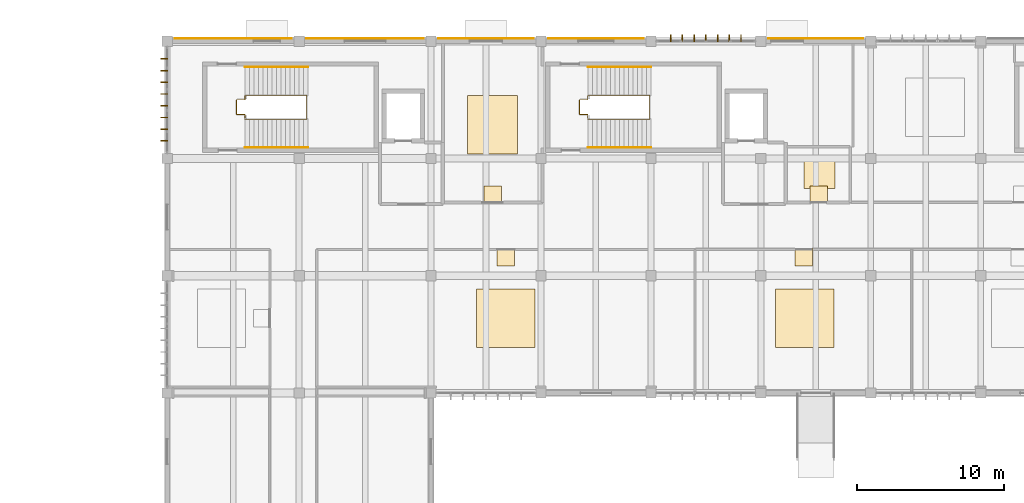
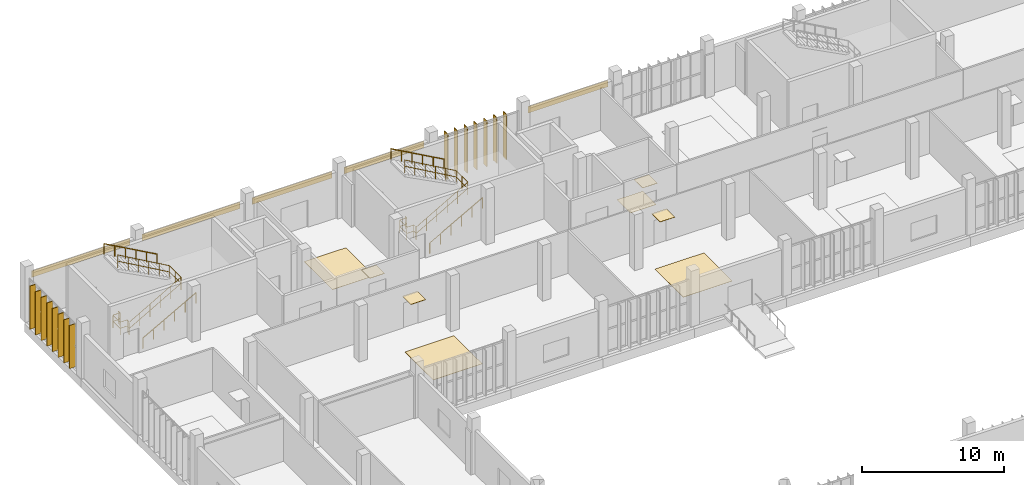
# One storey, part 64 of 72: 15 shading devices, 13 coverings, 8 railings.
"""IFC4 building model written with IfcOpenShell, lengths in metres."""

import ifcopenshell
import ifcopenshell.guid

model = None  # the IFC model being written
_history = None  # IfcOwnerHistory: only IFC2X3 demands one
_inside = {}  # id of a spatial element -> (the spatial element, [elements in it])
_under = {}  # id of a project, library or spatial element -> (it, [spatial elements below it])
_declared = {}  # id of a project -> (the project, [libraries it declares])
_typed = {}  # id of a type object -> (the type object, [elements of that type])
_made_of = {}  # id of a material, layer set ... -> (it, [elements and type objects made of it])


def new_model(schema):
    """Start an empty IFC model of exactly this schema.

    Asked for "IFC4X3", IfcOpenShell would pick the latest addendum, in which some entities
    have other attributes; the version numbers below select the first issue.
    IFC2X3 requires an IfcOwnerHistory on every rooted entity: one is made here for all.
    """
    global model, _history
    if schema == "IFC4X3":
        model = ifcopenshell.file(schema_version=(4, 3, 0, 0))
    else:
        model = ifcopenshell.file(schema=schema)
    _inside.clear()
    _under.clear()
    _declared.clear()
    _typed.clear()
    _made_of.clear()
    _history = None
    if model.schema == "IFC2X3":
        org = make("IfcOrganization", Name="unknown")
        user = make(
            "IfcPersonAndOrganization",
            ThePerson=make("IfcPerson", FamilyName="unknown"),
            TheOrganization=org,
        )
        app = make(
            "IfcApplication",
            ApplicationDeveloper=org,
            Version="unknown",
            ApplicationFullName="unknown",
            ApplicationIdentifier="unknown",
        )
        _history = make(
            "IfcOwnerHistory",
            OwningUser=user,
            OwningApplication=app,
            ChangeAction="ADDED",
            CreationDate=0,
        )
    return model


def make(cls, **values):
    """One entity of the class cls with the attributes given. An attribute that is None is left unset."""
    return model.create_entity(
        cls, **{name: value for name, value in values.items() if value is not None}
    )


def rooted(cls, **values):
    """An entity with a GlobalId (a new one), such as an element, a storey or a relation."""
    return make(cls, GlobalId=ifcopenshell.guid.new(), OwnerHistory=_history, **values)


def si_unit(unit_type, name, prefix=None):
    """IfcSIUnit, for example si_unit("LENGTHUNIT", "METRE", prefix="MILLI")."""
    return make("IfcSIUnit", UnitType=unit_type, Prefix=prefix, Name=name)


def assignment(units):
    """IfcUnitAssignment: the units of a project."""
    return None if units is None else make("IfcUnitAssignment", Units=units)


def point(xyz):
    """IfcCartesianPoint."""
    return None if xyz is None else make("IfcCartesianPoint", Coordinates=xyz)


def direction(xyz):
    """IfcDirection."""
    return None if xyz is None else make("IfcDirection", DirectionRatios=xyz)


def frame(location, z_axis=None, x_axis=None):
    """IfcAxis2Placement3D, a coordinate frame: its origin and axes. An axis left out is left unset."""
    return make(
        "IfcAxis2Placement3D",
        Location=point(location),
        Axis=direction(z_axis),
        RefDirection=direction(x_axis),
    )


def frame_2d(location, x_axis=None):
    """IfcAxis2Placement2D, a coordinate frame in the plane: its origin and x axis."""
    return make(
        "IfcAxis2Placement2D", Location=point(location), RefDirection=direction(x_axis)
    )


def origin():
    """The frame at (0, 0, 0) with its axes left unset."""
    return frame((0.0, 0.0, 0.0))


def origin_2d():
    """The frame at (0, 0) in the plane with its x axis left unset."""
    return frame_2d((0.0, 0.0))


def place(relative_to, where):
    """IfcLocalPlacement: puts the frame where relative to a parent placement (None: the world)."""
    return make(
        "IfcLocalPlacement", PlacementRelTo=relative_to, RelativePlacement=where
    )


def context(
    kind, dimensions, precision=None, world=None, true_north=None, identifier=None
):
    """IfcGeometricRepresentationContext, for example the 3D "Model" context."""
    return make(
        "IfcGeometricRepresentationContext",
        ContextIdentifier=identifier,
        ContextType=kind,
        CoordinateSpaceDimension=dimensions,
        Precision=precision,
        WorldCoordinateSystem=world,
        TrueNorth=true_north,
    )


def subcontext(parent, identifier, kind, view, scale=None):
    """IfcGeometricRepresentationSubContext, for example "Body" below "Model"."""
    return make(
        "IfcGeometricRepresentationSubContext",
        ContextIdentifier=identifier,
        ContextType=kind,
        ParentContext=parent,
        TargetScale=scale,
        TargetView=view,
    )


def project(units=None, contexts=None):
    """IfcProject with its units and contexts."""
    return rooted(
        "IfcProject",
        Name="project",
        RepresentationContexts=contexts,
        UnitsInContext=assignment(units),
    )


def spatial(cls, under=None, at=None, **own):
    """A site, building, storey or space (cls), placed at a placement, below another one or the project."""
    s = rooted(cls, ObjectPlacement=at, **own)
    if under is not None:
        _under.setdefault(under.id(), (under, []))[1].append(s)
    return s


def profile(cls, at=None, kind="AREA", **sizes):
    """A parametric profile (cls). Its sizes go by their IFC names, for example OverallWidth=200.0."""
    return make(cls, ProfileType=kind, Position=at, **sizes)


def rectangle(**sizes):
    """IfcRectangleProfileDef."""
    return profile("IfcRectangleProfileDef", **sizes)


def circle(**sizes):
    """IfcCircleProfileDef."""
    return profile("IfcCircleProfileDef", **sizes)


def extrude(swept, where, along, depth):
    """IfcExtrudedAreaSolid: the profile swept, set in the frame where, extruded along a direction by depth."""
    return make(
        "IfcExtrudedAreaSolid",
        SweptArea=swept,
        Position=where,
        ExtrudedDirection=direction(along),
        Depth=depth,
    )


def shape(context_of_items, identifier, shape_type, items):
    """IfcShapeRepresentation: the items that make up one representation, for example the "Body"."""
    return make(
        "IfcShapeRepresentation",
        ContextOfItems=context_of_items,
        RepresentationIdentifier=identifier,
        RepresentationType=shape_type,
        Items=items,
    )


def material(Name=None, Category=None):
    """IfcMaterial."""
    return make("IfcMaterial", Name=Name, Category=Category)


def layer(
    of_material, thickness, ventilated=None, Name=None, Category=None, Priority=None
):
    """IfcMaterialLayer: one layer of a wall or slab, of a material (None: an air gap)."""
    return make(
        "IfcMaterialLayer",
        Material=of_material,
        LayerThickness=thickness,
        IsVentilated=ventilated,
        Name=Name,
        Category=Category,
        Priority=Priority,
    )


def layer_set(layers, Name=None):
    """IfcMaterialLayerSet."""
    return make("IfcMaterialLayerSet", MaterialLayers=layers, LayerSetName=Name)


def material_profile(
    of_material, cross_section, Name=None, Category=None, Priority=None
):
    """IfcMaterialProfile: a cross section and its material."""
    return make(
        "IfcMaterialProfile",
        Name=Name,
        Material=of_material,
        Profile=cross_section,
        Priority=Priority,
        Category=Category,
    )


def profile_set(profiles, Name=None, composite=None):
    """IfcMaterialProfileSet."""
    return make(
        "IfcMaterialProfileSet",
        Name=Name,
        MaterialProfiles=profiles,
        CompositeProfile=composite,
    )


def made_of(thing, what):
    """Note that an element or type object is made of a material, layer set ...; save() writes the relation."""
    if what is not None:
        _made_of.setdefault(what.id(), (what, []))[1].append(thing)
    return thing


def type_object(cls, material=None, **own):
    """A type object (cls), such as IfcWallType, which elements share."""
    return made_of(rooted(cls, **own), material)


def element(
    cls,
    number,
    at=None,
    inside=None,
    cuts=None,
    type_object=None,
    material=None,
    context=None,
    identifier="Body",
    shape_type=None,
    held_by="IfcProductDefinitionShape",
    body=None,
    shapes=None,
    **own,
):
    """One element of the class cls, such as IfcWall. Its Tag is "e" and its number.

    at: its placement. inside: the storey or other place that contains it. cuts: it is an
    opening in that element (IfcRelVoidsElement). A single representation is given by context,
    identifier, shape_type and body (its items); several are given by shapes. held_by: the class
    of the entity that holds the representations. save() writes the other relations.
    """
    e = rooted(cls, Tag="e%d" % number, ObjectPlacement=at, **own)
    if body is not None:
        shapes = [shape(context, identifier, shape_type, body)]
    if shapes is not None:
        e.Representation = make(held_by, Representations=shapes)
    if inside is not None:
        _inside.setdefault(inside.id(), (inside, []))[1].append(e)
    if cuts is not None:
        rooted(
            "IfcRelVoidsElement", RelatingBuildingElement=cuts, RelatedOpeningElement=e
        )
    if type_object is not None:
        _typed.setdefault(type_object.id(), (type_object, []))[1].append(e)
    return made_of(e, material)


def aggregate(whole, parts):
    """IfcRelAggregates: a whole, such as a stair, and the parts it consists of."""
    return rooted("IfcRelAggregates", RelatingObject=whole, RelatedObjects=parts)


def save(model, path):
    """Write the relations noted so far, then the file.

    IfcRelAggregates (storeys below a building ...), IfcRelContainedInSpatialStructure (elements
    in a storey), IfcRelDefinesByType, IfcRelAssociatesMaterial and IfcRelDeclares: one each for
    every whole, place, type object, material and project.
    """
    for whole, parts in _under.values():
        aggregate(whole, parts)
    for where, things in _inside.values():
        rooted(
            "IfcRelContainedInSpatialStructure",
            RelatedElements=things,
            RelatingStructure=where,
        )
    for kind, things in _typed.values():
        rooted("IfcRelDefinesByType", RelatedObjects=things, RelatingType=kind)
    for what, things in _made_of.values():
        rooted("IfcRelAssociatesMaterial", RelatedObjects=things, RelatingMaterial=what)
    for by, libraries in _declared.values():
        rooted("IfcRelDeclares", RelatingContext=by, RelatedDefinitions=libraries)
    model.write(path)


model = new_model("IFC4")

# Units and contexts
model_context = context("Model", 3, precision=1e-05, world=origin(), true_north=direction((0.0, 1.0)))
body_context = subcontext(model_context, "Body", "Model", "MODEL_VIEW")
ifc_project = project(units=[si_unit("LENGTHUNIT", "METRE"), si_unit("AREAUNIT", "SQUARE_METRE"), si_unit("VOLUMEUNIT", "CUBIC_METRE"), si_unit("PLANEANGLEUNIT", "RADIAN"), si_unit("MASSUNIT", "GRAM", prefix="KILO")], contexts=[model_context])

# Site, building, storey
site_placement = place(None, origin())
site = spatial("IfcSite", under=ifc_project, at=site_placement, CompositionType="ELEMENT")
building_placement = place(site_placement, origin())
building = spatial("IfcBuilding", under=site, at=building_placement, Name="Vourika Railside Aquatics Centre", CompositionType="ELEMENT")
storey_placement = place(building_placement, origin())
storey = spatial("IfcBuildingStorey", under=building, at=storey_placement, Name="L00", CompositionType="ELEMENT", Elevation=0.0)

# Coverings
ifc_material_1 = material(Name="Perforated moisture-resistant acoustic gypsum ceiling")
ifc_layer_1 = layer(ifc_material_1, 0.02490234375, Name="COV-CEIL-25")
ifc_layer_set_1 = layer_set([ifc_layer_1], Name="Perforated moisture-resistant acoustic gypsum ceiling")
covering_type_1 = type_object("IfcCoveringType", Name="COV-CEIL-25", PredefinedType="CEILING", material=ifc_layer_set_1)
for number, where, z_axis, x_axis, name in (
    (1, (62.445068359375, 105.52001953125, 2.637451171875), (0.0, 0.0, 1.0), (1.0, 0.0, 0.0), "Clinic Accessible WC Acoustic Ceiling Panel"),
    (2, (40.199951171875, 105.52001953125, 2.637451171875), (0.0, 0.0, 1.0), (1.0, 0.0, 0.0), "Fire Command Centre Acoustic Ceiling Panel"),
    (3, (41.10009765625, 101.280029296875, 2.637451171875), (0.0, 0.0, 1.0), (1.0, 0.0, 0.0), "Hydrotherapy Rehabilitation Pool Clinic Acoustic Ceiling Panel"),
    (4, (61.425048828125, 101.280029296875, 2.637451171875), (0.0, 0.0, 1.0), (1.0, 0.0, 0.0), "Orthopaedic Physician Consulting Rooms Acoustic Ceiling Panel"),
):
    element("IfcCovering", number, at=place(storey_placement, frame(where, z_axis=z_axis, x_axis=x_axis)), inside=storey, type_object=covering_type_1, Name=name, PredefinedType="CEILING", context=body_context, shape_type="SweptSolid", body=[
        extrude(rectangle(XDim=1.199951171875, YDim=1.199951171875, at=origin_2d()), origin(), (0.0, 0.0, 1.0), 0.02490234375),
    ])
ifc_material_2 = material(Name="Bronze-anodized aluminium rainscreen", Category="aluminium")
ifc_layer_2 = layer(ifc_material_2, 0.044921875, Name="COV-CLAD-45")
ifc_layer_set_2 = layer_set([ifc_layer_2], Name="Bronze-anodized aluminium rainscreen")
covering_type_2 = type_object("IfcCoveringType", Name="COV-CLAD-45", PredefinedType="CLADDING", material=ifc_layer_set_2)
for number, where, z_axis, x_axis, name in (
    (5, (22.5, 116.179931640625, 3.30517578125), (0.0, 0.0, 1.0), (-1.0, 0.0, 0.0), "Perforated Bronze Rainscreen Band CL-040"),
    (6, (31.5, 116.179931640625, 3.30517578125), (0.0, 0.0, 1.0), (-1.0, 0.0, 0.0), "Perforated Bronze Rainscreen Band CL-041"),
):
    element("IfcCovering", number, at=place(storey_placement, frame(where, z_axis=z_axis, x_axis=x_axis)), inside=storey, type_object=covering_type_2, Name=name, PredefinedType="CLADDING", context=body_context, shape_type="SweptSolid", body=[
        extrude(rectangle(XDim=8.0, YDim=0.044921875, at=origin_2d()), origin(), (0.0, 0.0, 1.0), 0.550048828125),
    ])
for number, where, z_axis, x_axis, name in (
    (7, (39.75, 116.179931640625, 3.30517578125), (0.0, 0.0, 1.0), (-1.0, 0.0, 0.0), "Perforated Bronze Rainscreen Band CL-042"),
    (8, (47.25, 116.179931640625, 3.30517578125), (0.0, 0.0, 1.0), (-1.0, 0.0, 0.0), "Perforated Bronze Rainscreen Band CL-043"),
    (9, (62.25, 116.179931640625, 3.30517578125), (0.0, 0.0, 1.0), (-1.0, 0.0, 0.0), "Perforated Bronze Rainscreen Band CL-044"),
):
    element("IfcCovering", number, at=place(storey_placement, frame(where, z_axis=z_axis, x_axis=x_axis)), inside=storey, type_object=covering_type_2, Name=name, PredefinedType="CLADDING", context=body_context, shape_type="SweptSolid", body=[
        extrude(rectangle(XDim=6.5, YDim=0.044921875, at=origin_2d()), origin(), (0.0, 0.0, 1.0), 0.550048828125),
    ])
ifc_material_3 = material(Name="Slip-resistant aqua ceramic sports flooring")
ifc_layer_3 = layer(ifc_material_3, 0.02001953125, Name="COV-FLOR-20")
ifc_layer_set_3 = layer_set([ifc_layer_3], Name="Slip-resistant aqua ceramic sports flooring")
covering_type_3 = type_object("IfcCoveringType", Name="COV-FLOR-20", PredefinedType="FLOORING", material=ifc_layer_set_3)
covering_1_placement = place(storey_placement, frame((62.5, 106.89990234375, 0.0), z_axis=(0.0, 0.0, 1.0), x_axis=(1.0, 0.0, 0.0)))
element("IfcCovering", 10, at=covering_1_placement, inside=storey, type_object=covering_type_3, Name="Clinic Accessible WC Sports Flooring Panel", PredefinedType="FLOORING", context=body_context, shape_type="SweptSolid", body=[
    extrude(rectangle(XDim=2.10009765625, YDim=1.89990234375, at=origin_2d()), origin(), (0.0, 0.0, 1.0), 0.02001953125),
])
covering_2_placement = place(storey_placement, frame((40.199951171875, 110.300048828125, 0.0), z_axis=(0.0, 0.0, 1.0), x_axis=(1.0, 0.0, 0.0)))
element("IfcCovering", 11, at=covering_2_placement, inside=storey, type_object=covering_type_3, Name="Fire Command Centre Sports Flooring Panel", PredefinedType="FLOORING", context=body_context, shape_type="SweptSolid", body=[
    extrude(rectangle(XDim=3.39990234375, YDim=4.0, at=origin_2d()), origin(), (0.0, 0.0, 1.0), 0.02001953125),
])
for number, where, z_axis, x_axis, name in (
    (12, (41.10009765625, 97.10009765625, 0.0), (0.0, 0.0, 1.0), (1.0, 0.0, 0.0), "Hydrotherapy Rehabilitation Pool Clinic Sports Flooring Panel"),
    (13, (61.5, 97.10009765625, 0.0), (0.0, 0.0, 1.0), (1.0, 0.0, 0.0), "Orthopaedic Physician Consulting Rooms Sports Flooring Panel"),
):
    element("IfcCovering", number, at=place(storey_placement, frame(where, z_axis=z_axis, x_axis=x_axis)), inside=storey, type_object=covering_type_3, Name=name, PredefinedType="FLOORING", context=body_context, shape_type="SweptSolid", body=[
        extrude(rectangle(XDim=4.0, YDim=4.0, at=origin_2d()), origin(), (0.0, 0.0, 1.0), 0.02001953125),
    ])

# Railings
ifc_material_4 = material(Name="Duplex stainless steel EN 1.4462", Category="steel")
railing_type_1 = type_object("IfcRailingType", Name="RL-HAND-920", PredefinedType="HANDRAIL", material=ifc_material_4)
railing_1_placement = place(storey_placement, frame((23.300048828125, 108.760009765625, 0.0)))
element("IfcRailing", 14, at=railing_1_placement, inside=storey, type_object=railing_type_1, Name="Protected Exit Stair Core ST01 Lower Wall Handrail (L00)", PredefinedType="HANDRAIL", context=body_context, shape_type="SweptSolid", body=[
    extrude(circle(Radius=0.02392578125, at=origin_2d()), frame((0.0, 0.0, 0.89599609375), z_axis=(0.873783640258, 0.0, 0.486314867157), x_axis=(0.0, 1.0, 0.0)), (0.0, 0.0, 1.0), 4.934814453125),
    extrude(circle(Radius=0.02099609375, at=origin_2d()), origin(), (0.0, 0.0, 1.0), 0.871826171875),
    extrude(circle(Radius=0.02099609375, at=origin_2d()), frame((0.8623046875, 0.0, 0.47998046875)), (0.0, 0.0, 1.0), 0.871826171875),
    extrude(circle(Radius=0.02099609375, at=origin_2d()), frame((1.724853515625, 0.0, 0.9599609375)), (0.0, 0.0, 1.0), 0.871826171875),
    extrude(circle(Radius=0.02099609375, at=origin_2d()), frame((2.587158203125, 0.0, 1.43994140625)), (0.0, 0.0, 1.0), 0.871826171875),
    extrude(circle(Radius=0.02099609375, at=origin_2d()), frame((3.44970703125, 0.0, 1.919921875)), (0.0, 0.0, 1.0), 0.871826171875),
    extrude(circle(Radius=0.02099609375, at=origin_2d()), frame((4.31201171875, 0.0, 2.39990234375)), (0.0, 0.0, 1.0), 0.871826171875),
])
railing_2_placement = place(storey_placement, frame((27.612060546875, 114.239990234375, 2.39990234375)))
element("IfcRailing", 15, at=railing_2_placement, inside=storey, type_object=railing_type_1, Name="Protected Exit Stair Core ST01 Upper Wall Handrail (L00)", PredefinedType="HANDRAIL", context=body_context, shape_type="SweptSolid", body=[
    extrude(circle(Radius=0.02392578125, at=origin_2d()), frame((0.0, 0.0, 0.89599609375), z_axis=(-0.873762617393, 0.0, 0.486352637956), x_axis=(0.0, -1.0, 0.0)), (0.0, 0.0, 1.0), 4.93505859375),
    extrude(circle(Radius=0.02099609375, at=origin_2d()), origin(), (0.0, 0.0, 1.0), 0.871826171875),
    extrude(circle(Radius=0.02099609375, at=origin_2d()), frame((-0.8623046875, 0.0, 0.47998046875)), (0.0, 0.0, 1.0), 0.871826171875),
    extrude(circle(Radius=0.02099609375, at=origin_2d()), frame((-1.724853515625, 0.0, 0.9599609375)), (0.0, 0.0, 1.0), 0.871826171875),
    extrude(circle(Radius=0.02099609375, at=origin_2d()), frame((-2.587158203125, 0.0, 1.440185546875)), (0.0, 0.0, 1.0), 0.871826171875),
    extrude(circle(Radius=0.02099609375, at=origin_2d()), frame((-3.44970703125, 0.0, 1.920166015625)), (0.0, 0.0, 1.0), 0.871826171875),
    extrude(circle(Radius=0.02099609375, at=origin_2d()), frame((-4.31201171875, 0.0, 2.400146484375)), (0.0, 0.0, 1.0), 0.871826171875),
])
railing_3_placement = place(storey_placement, frame((46.699951171875, 108.760009765625, 0.0)))
element("IfcRailing", 16, at=railing_3_placement, inside=storey, type_object=railing_type_1, Name="Protected Exit Stair Core ST02 Lower Wall Handrail (L00)", PredefinedType="HANDRAIL", context=body_context, shape_type="SweptSolid", body=[
    extrude(circle(Radius=0.02392578125, at=origin_2d()), frame((0.0, 0.0, 0.89599609375), z_axis=(0.873783640258, 0.0, 0.486314867157), x_axis=(0.0, 1.0, 0.0)), (0.0, 0.0, 1.0), 4.934814453125),
    extrude(circle(Radius=0.02099609375, at=origin_2d()), origin(), (0.0, 0.0, 1.0), 0.871826171875),
    extrude(circle(Radius=0.02099609375, at=origin_2d()), frame((0.8623046875, 0.0, 0.47998046875)), (0.0, 0.0, 1.0), 0.871826171875),
    extrude(circle(Radius=0.02099609375, at=origin_2d()), frame((1.724853515625, 0.0, 0.9599609375)), (0.0, 0.0, 1.0), 0.871826171875),
    extrude(circle(Radius=0.02099609375, at=origin_2d()), frame((2.587158203125, 0.0, 1.43994140625)), (0.0, 0.0, 1.0), 0.871826171875),
    extrude(circle(Radius=0.02099609375, at=origin_2d()), frame((3.44970703125, 0.0, 1.919921875)), (0.0, 0.0, 1.0), 0.871826171875),
    extrude(circle(Radius=0.02099609375, at=origin_2d()), frame((4.31201171875, 0.0, 2.39990234375)), (0.0, 0.0, 1.0), 0.871826171875),
])
railing_4_placement = place(storey_placement, frame((51.011962890625, 114.239990234375, 2.39990234375)))
element("IfcRailing", 17, at=railing_4_placement, inside=storey, type_object=railing_type_1, Name="Protected Exit Stair Core ST02 Upper Wall Handrail (L00)", PredefinedType="HANDRAIL", context=body_context, shape_type="SweptSolid", body=[
    extrude(circle(Radius=0.02392578125, at=origin_2d()), frame((0.0, 0.0, 0.89599609375), z_axis=(-0.873762617393, 0.0, 0.486352637956), x_axis=(0.0, -1.0, 0.0)), (0.0, 0.0, 1.0), 4.93505859375),
    extrude(circle(Radius=0.02099609375, at=origin_2d()), origin(), (0.0, 0.0, 1.0), 0.871826171875),
    extrude(circle(Radius=0.02099609375, at=origin_2d()), frame((-0.8623046875, 0.0, 0.47998046875)), (0.0, 0.0, 1.0), 0.871826171875),
    extrude(circle(Radius=0.02099609375, at=origin_2d()), frame((-1.724853515625, 0.0, 0.9599609375)), (0.0, 0.0, 1.0), 0.871826171875),
    extrude(circle(Radius=0.02099609375, at=origin_2d()), frame((-2.587158203125, 0.0, 1.440185546875)), (0.0, 0.0, 1.0), 0.871826171875),
    extrude(circle(Radius=0.02099609375, at=origin_2d()), frame((-3.44970703125, 0.0, 1.920166015625)), (0.0, 0.0, 1.0), 0.871826171875),
    extrude(circle(Radius=0.02099609375, at=origin_2d()), frame((-4.31201171875, 0.0, 2.400146484375)), (0.0, 0.0, 1.0), 0.871826171875),
])
railing_type_2 = type_object("IfcRailingType", Name="RL-STAIR-1120", PredefinedType="BALUSTRADE", material=ifc_material_4)
railing_5_placement = place(storey_placement, frame((23.300048828125, 110.75, 0.0)))
element("IfcRailing", 18, at=railing_5_placement, inside=storey, type_object=railing_type_2, Name="Protected Exit Stair Core ST01 Well Edge Guard (L00)", PredefinedType="BALUSTRADE", context=body_context, shape_type="SweptSolid", body=[
    extrude(circle(Radius=0.02392578125, at=origin_2d()), frame((0.0, 0.0, 1.09619140625), z_axis=(0.0, 1.0, 0.0), x_axis=(-1.0, 0.0, 0.0)), (0.0, 0.0, 1.0), 0.25),
    extrude(circle(Radius=0.02392578125, at=origin_2d()), frame((0.0, 0.0, 0.56005859375), z_axis=(0.0, 1.0, 0.0), x_axis=(-1.0, 0.0, 0.0)), (0.0, 0.0, 1.0), 0.25),
    extrude(circle(Radius=0.02392578125, at=origin_2d()), frame((0.0, 0.25, 1.09619140625), z_axis=(-1.0, 0.0, 0.0), x_axis=(0.0, -1.0, 0.0)), (0.0, 0.0, 1.0), 0.570068359375),
    extrude(circle(Radius=0.02392578125, at=origin_2d()), frame((0.0, 0.25, 0.56005859375), z_axis=(-1.0, 0.0, 0.0), x_axis=(0.0, -1.0, 0.0)), (0.0, 0.0, 1.0), 0.570068359375),
    extrude(circle(Radius=0.02392578125, at=origin_2d()), frame((-0.570068359375, 0.25, 1.09619140625), z_axis=(0.0, 1.0, 0.0), x_axis=(-1.0, 0.0, 0.0)), (0.0, 0.0, 1.0), 1.0),
    extrude(circle(Radius=0.02392578125, at=origin_2d()), frame((-0.570068359375, 0.25, 0.56005859375), z_axis=(0.0, 1.0, 0.0), x_axis=(-1.0, 0.0, 0.0)), (0.0, 0.0, 1.0), 1.0),
    extrude(circle(Radius=0.02392578125, at=origin_2d()), frame((-0.570068359375, 1.25, 1.09619140625), z_axis=(1.0, 0.0, 0.0), x_axis=(0.0, 1.0, 0.0)), (0.0, 0.0, 1.0), 0.570068359375),
    extrude(circle(Radius=0.02392578125, at=origin_2d()), frame((-0.570068359375, 1.25, 0.56005859375), z_axis=(1.0, 0.0, 0.0), x_axis=(0.0, 1.0, 0.0)), (0.0, 0.0, 1.0), 0.570068359375),
    extrude(circle(Radius=0.02392578125, at=origin_2d()), frame((0.0, 1.25, 1.09619140625), z_axis=(0.0, 1.0, 0.0), x_axis=(-1.0, 0.0, 0.0)), (0.0, 0.0, 1.0), 0.25),
    extrude(circle(Radius=0.02392578125, at=origin_2d()), frame((0.0, 1.25, 0.56005859375), z_axis=(0.0, 1.0, 0.0), x_axis=(-1.0, 0.0, 0.0)), (0.0, 0.0, 1.0), 0.25),
    extrude(circle(Radius=0.02099609375, at=origin_2d()), origin(), (0.0, 0.0, 1.0), 1.072021484375),
    extrude(circle(Radius=0.02099609375, at=origin_2d()), frame((0.0, 0.25, 0.0)), (0.0, 0.0, 1.0), 1.072021484375),
    extrude(circle(Radius=0.02099609375, at=origin_2d()), frame((-0.570068359375, 0.25, 0.0)), (0.0, 0.0, 1.0), 1.072021484375),
    extrude(circle(Radius=0.02099609375, at=origin_2d()), frame((-0.570068359375, 1.25, 0.0)), (0.0, 0.0, 1.0), 1.072021484375),
    extrude(circle(Radius=0.02099609375, at=origin_2d()), frame((0.0, 1.25, 0.0)), (0.0, 0.0, 1.0), 1.072021484375),
    extrude(circle(Radius=0.02099609375, at=origin_2d()), frame((0.0, 1.5, 0.0)), (0.0, 0.0, 1.0), 1.072021484375),
])
railing_6_placement = place(storey_placement, frame((23.300048828125, 110.679931640625, 0.0)))
element("IfcRailing", 19, at=railing_6_placement, inside=storey, type_object=railing_type_2, Name="Protected Exit Stair Core ST01 Center Well Guard (L00)", PredefinedType="BALUSTRADE", context=body_context, shape_type="SweptSolid", body=[
    extrude(circle(Radius=0.02392578125, at=origin_2d()), frame((0.0, 0.0, 1.09619140625), z_axis=(0.868856127307, 0.0, 0.495064672584), x_axis=(0.0, 1.0, 0.0)), (0.0, 0.0, 1.0), 4.84765625),
    extrude(circle(Radius=0.02392578125, at=origin_2d()), frame((0.0, 0.0, 0.56005859375), z_axis=(0.868856127307, 0.0, 0.495064672584), x_axis=(0.0, 1.0, 0.0)), (0.0, 0.0, 1.0), 4.84765625),
    extrude(circle(Radius=0.02392578125, at=origin_2d()), frame((4.2119140625, 0.0, 3.49609375), z_axis=(0.0, 1.0, 0.0), x_axis=(-1.0, 0.0, 0.0)), (0.0, 0.0, 1.0), 1.64013671875),
    extrude(circle(Radius=0.02392578125, at=origin_2d()), frame((4.2119140625, 0.0, 2.9599609375), z_axis=(0.0, 1.0, 0.0), x_axis=(-1.0, 0.0, 0.0)), (0.0, 0.0, 1.0), 1.64013671875),
    extrude(circle(Radius=0.02392578125, at=origin_2d()), frame((4.2119140625, 1.64013671875, 3.49609375), z_axis=(-0.868834464034, 0.0, 0.495102690466), x_axis=(0.0, -1.0, 0.0)), (0.0, 0.0, 1.0), 4.84765625),
    extrude(circle(Radius=0.02392578125, at=origin_2d()), frame((4.2119140625, 1.64013671875, 2.9599609375), z_axis=(-0.868834464034, 0.0, 0.495102690466), x_axis=(0.0, -1.0, 0.0)), (0.0, 0.0, 1.0), 4.84765625),
    extrude(circle(Radius=0.02099609375, at=origin_2d()), origin(), (0.0, 0.0, 1.0), 1.072021484375),
    extrude(circle(Radius=0.02099609375, at=origin_2d()), frame((0.84228515625, 0.0, 0.47998046875)), (0.0, 0.0, 1.0), 1.072021484375),
    extrude(circle(Radius=0.02099609375, at=origin_2d()), frame((1.684814453125, 0.0, 0.9599609375)), (0.0, 0.0, 1.0), 1.072021484375),
    extrude(circle(Radius=0.02099609375, at=origin_2d()), frame((2.527099609375, 0.0, 1.43994140625)), (0.0, 0.0, 1.0), 1.072021484375),
    extrude(circle(Radius=0.02099609375, at=origin_2d()), frame((3.36962890625, 0.0, 1.919921875)), (0.0, 0.0, 1.0), 1.072021484375),
    extrude(circle(Radius=0.02099609375, at=origin_2d()), frame((4.2119140625, 0.0, 2.39990234375)), (0.0, 0.0, 1.0), 1.072021484375),
    extrude(circle(Radius=0.02099609375, at=origin_2d()), frame((4.2119140625, 0.820068359375, 2.39990234375)), (0.0, 0.0, 1.0), 1.072021484375),
    extrude(circle(Radius=0.02099609375, at=origin_2d()), frame((4.2119140625, 1.64013671875, 2.39990234375)), (0.0, 0.0, 1.0), 1.072021484375),
    extrude(circle(Radius=0.02099609375, at=origin_2d()), frame((3.36962890625, 1.64013671875, 2.8798828125)), (0.0, 0.0, 1.0), 1.072021484375),
    extrude(circle(Radius=0.02099609375, at=origin_2d()), frame((2.527099609375, 1.64013671875, 3.35986328125)), (0.0, 0.0, 1.0), 1.072021484375),
    extrude(circle(Radius=0.02099609375, at=origin_2d()), frame((1.684814453125, 1.64013671875, 3.840087890625)), (0.0, 0.0, 1.0), 1.072021484375),
    extrude(circle(Radius=0.02099609375, at=origin_2d()), frame((0.84228515625, 1.64013671875, 4.320068359375)), (0.0, 0.0, 1.0), 1.072021484375),
    extrude(circle(Radius=0.02099609375, at=origin_2d()), frame((0.0, 1.64013671875, 4.800048828125)), (0.0, 0.0, 1.0), 1.072021484375),
])
railing_7_placement = place(storey_placement, frame((46.699951171875, 110.75, 0.0)))
element("IfcRailing", 20, at=railing_7_placement, inside=storey, type_object=railing_type_2, Name="Protected Exit Stair Core ST02 Well Edge Guard (L00)", PredefinedType="BALUSTRADE", context=body_context, shape_type="SweptSolid", body=[
    extrude(circle(Radius=0.02392578125, at=origin_2d()), frame((0.0, 0.0, 1.09619140625), z_axis=(0.0, 1.0, 0.0), x_axis=(-1.0, 0.0, 0.0)), (0.0, 0.0, 1.0), 0.25),
    extrude(circle(Radius=0.02392578125, at=origin_2d()), frame((0.0, 0.0, 0.56005859375), z_axis=(0.0, 1.0, 0.0), x_axis=(-1.0, 0.0, 0.0)), (0.0, 0.0, 1.0), 0.25),
    extrude(circle(Radius=0.02392578125, at=origin_2d()), frame((0.0, 0.25, 1.09619140625), z_axis=(-1.0, 0.0, 0.0), x_axis=(0.0, -1.0, 0.0)), (0.0, 0.0, 1.0), 0.570068359375),
    extrude(circle(Radius=0.02392578125, at=origin_2d()), frame((0.0, 0.25, 0.56005859375), z_axis=(-1.0, 0.0, 0.0), x_axis=(0.0, -1.0, 0.0)), (0.0, 0.0, 1.0), 0.570068359375),
    extrude(circle(Radius=0.02392578125, at=origin_2d()), frame((-0.570068359375, 0.25, 1.09619140625), z_axis=(0.0, 1.0, 0.0), x_axis=(-1.0, 0.0, 0.0)), (0.0, 0.0, 1.0), 1.0),
    extrude(circle(Radius=0.02392578125, at=origin_2d()), frame((-0.570068359375, 0.25, 0.56005859375), z_axis=(0.0, 1.0, 0.0), x_axis=(-1.0, 0.0, 0.0)), (0.0, 0.0, 1.0), 1.0),
    extrude(circle(Radius=0.02392578125, at=origin_2d()), frame((-0.570068359375, 1.25, 1.09619140625), z_axis=(1.0, 0.0, 0.0), x_axis=(0.0, 1.0, 0.0)), (0.0, 0.0, 1.0), 0.570068359375),
    extrude(circle(Radius=0.02392578125, at=origin_2d()), frame((-0.570068359375, 1.25, 0.56005859375), z_axis=(1.0, 0.0, 0.0), x_axis=(0.0, 1.0, 0.0)), (0.0, 0.0, 1.0), 0.570068359375),
    extrude(circle(Radius=0.02392578125, at=origin_2d()), frame((0.0, 1.25, 1.09619140625), z_axis=(0.0, 1.0, 0.0), x_axis=(-1.0, 0.0, 0.0)), (0.0, 0.0, 1.0), 0.25),
    extrude(circle(Radius=0.02392578125, at=origin_2d()), frame((0.0, 1.25, 0.56005859375), z_axis=(0.0, 1.0, 0.0), x_axis=(-1.0, 0.0, 0.0)), (0.0, 0.0, 1.0), 0.25),
    extrude(circle(Radius=0.02099609375, at=origin_2d()), origin(), (0.0, 0.0, 1.0), 1.072021484375),
    extrude(circle(Radius=0.02099609375, at=origin_2d()), frame((0.0, 0.25, 0.0)), (0.0, 0.0, 1.0), 1.072021484375),
    extrude(circle(Radius=0.02099609375, at=origin_2d()), frame((-0.570068359375, 0.25, 0.0)), (0.0, 0.0, 1.0), 1.072021484375),
    extrude(circle(Radius=0.02099609375, at=origin_2d()), frame((-0.570068359375, 1.25, 0.0)), (0.0, 0.0, 1.0), 1.072021484375),
    extrude(circle(Radius=0.02099609375, at=origin_2d()), frame((0.0, 1.25, 0.0)), (0.0, 0.0, 1.0), 1.072021484375),
    extrude(circle(Radius=0.02099609375, at=origin_2d()), frame((0.0, 1.5, 0.0)), (0.0, 0.0, 1.0), 1.072021484375),
])
railing_8_placement = place(storey_placement, frame((46.699951171875, 110.679931640625, 0.0)))
element("IfcRailing", 21, at=railing_8_placement, inside=storey, type_object=railing_type_2, Name="Protected Exit Stair Core ST02 Center Well Guard (L00)", PredefinedType="BALUSTRADE", context=body_context, shape_type="SweptSolid", body=[
    extrude(circle(Radius=0.02392578125, at=origin_2d()), frame((0.0, 0.0, 1.09619140625), z_axis=(0.868868469825, 0.0, 0.495043010397), x_axis=(0.0, 1.0, 0.0)), (0.0, 0.0, 1.0), 4.847900390625),
    extrude(circle(Radius=0.02392578125, at=origin_2d()), frame((0.0, 0.0, 0.56005859375), z_axis=(0.868868469825, 0.0, 0.495043010397), x_axis=(0.0, 1.0, 0.0)), (0.0, 0.0, 1.0), 4.847900390625),
    extrude(circle(Radius=0.02392578125, at=origin_2d()), frame((4.212158203125, 0.0, 3.49609375), z_axis=(0.0, 1.0, 0.0), x_axis=(-1.0, 0.0, 0.0)), (0.0, 0.0, 1.0), 1.64013671875),
    extrude(circle(Radius=0.02392578125, at=origin_2d()), frame((4.212158203125, 0.0, 2.9599609375), z_axis=(0.0, 1.0, 0.0), x_axis=(-1.0, 0.0, 0.0)), (0.0, 0.0, 1.0), 1.64013671875),
    extrude(circle(Radius=0.02392578125, at=origin_2d()), frame((4.212158203125, 1.64013671875, 3.49609375), z_axis=(-0.868846808141, 0.0, 0.495081027695), x_axis=(0.0, -1.0, 0.0)), (0.0, 0.0, 1.0), 4.847900390625),
    extrude(circle(Radius=0.02392578125, at=origin_2d()), frame((4.212158203125, 1.64013671875, 2.9599609375), z_axis=(-0.868846808141, 0.0, 0.495081027695), x_axis=(0.0, -1.0, 0.0)), (0.0, 0.0, 1.0), 4.847900390625),
    extrude(circle(Radius=0.02099609375, at=origin_2d()), origin(), (0.0, 0.0, 1.0), 1.072021484375),
    extrude(circle(Radius=0.02099609375, at=origin_2d()), frame((0.842529296875, 0.0, 0.47998046875)), (0.0, 0.0, 1.0), 1.072021484375),
    extrude(circle(Radius=0.02099609375, at=origin_2d()), frame((1.684814453125, 0.0, 0.9599609375)), (0.0, 0.0, 1.0), 1.072021484375),
    extrude(circle(Radius=0.02099609375, at=origin_2d()), frame((2.52734375, 0.0, 1.43994140625)), (0.0, 0.0, 1.0), 1.072021484375),
    extrude(circle(Radius=0.02099609375, at=origin_2d()), frame((3.36962890625, 0.0, 1.919921875)), (0.0, 0.0, 1.0), 1.072021484375),
    extrude(circle(Radius=0.02099609375, at=origin_2d()), frame((4.212158203125, 0.0, 2.39990234375)), (0.0, 0.0, 1.0), 1.072021484375),
    extrude(circle(Radius=0.02099609375, at=origin_2d()), frame((4.212158203125, 0.820068359375, 2.39990234375)), (0.0, 0.0, 1.0), 1.072021484375),
    extrude(circle(Radius=0.02099609375, at=origin_2d()), frame((4.212158203125, 1.64013671875, 2.39990234375)), (0.0, 0.0, 1.0), 1.072021484375),
    extrude(circle(Radius=0.02099609375, at=origin_2d()), frame((3.36962890625, 1.64013671875, 2.8798828125)), (0.0, 0.0, 1.0), 1.072021484375),
    extrude(circle(Radius=0.02099609375, at=origin_2d()), frame((2.52734375, 1.64013671875, 3.35986328125)), (0.0, 0.0, 1.0), 1.072021484375),
    extrude(circle(Radius=0.02099609375, at=origin_2d()), frame((1.684814453125, 1.64013671875, 3.840087890625)), (0.0, 0.0, 1.0), 1.072021484375),
    extrude(circle(Radius=0.02099609375, at=origin_2d()), frame((0.842529296875, 1.64013671875, 4.320068359375)), (0.0, 0.0, 1.0), 1.072021484375),
    extrude(circle(Radius=0.02099609375, at=origin_2d()), frame((0.0, 1.64013671875, 4.800048828125)), (0.0, 0.0, 1.0), 1.072021484375),
])

# Shading devices
ifc_material_5 = material(Name="Bronze-anodized extruded aluminium", Category="aluminium")
ifc_material_profile = material_profile(ifc_material_5, rectangle(XDim=0.06005859375, YDim=0.47998046875, at=origin_2d()), Name="ALU-FIN 60x480")
ifc_profile_set = profile_set([ifc_material_profile], Name="Bronze-anodized extruded aluminium")
shading_device_type = type_object("IfcShadingDeviceType", Name="SHD-FIN-F48A", PredefinedType="USERDEFINED", material=ifc_profile_set)
for number, where, z_axis, x_axis, name in (
    (22, (52.35009765625, 116.215087890625, 0.0), (0.0, 0.0, 1.0), (1.0, 0.0, 0.0), "Vertical Solar Fin VSF-0600"),
    (23, (53.14990234375, 116.215087890625, 0.0), (0.0, 0.0, 1.0), (1.0, 0.0, 0.0), "Vertical Solar Fin VSF-0601"),
    (24, (53.949951171875, 116.215087890625, 0.0), (0.0, 0.0, 1.0), (1.0, 0.0, 0.0), "Vertical Solar Fin VSF-0602"),
    (25, (54.75, 116.215087890625, 0.0), (0.0, 0.0, 1.0), (1.0, 0.0, 0.0), "Vertical Solar Fin VSF-0603"),
    (26, (55.550048828125, 116.215087890625, 0.0), (0.0, 0.0, 1.0), (1.0, 0.0, 0.0), "Vertical Solar Fin VSF-0604"),
    (27, (56.35009765625, 116.215087890625, 0.0), (0.0, 0.0, 1.0), (1.0, 0.0, 0.0), "Vertical Solar Fin VSF-0605"),
    (28, (57.14990234375, 116.215087890625, 0.0), (0.0, 0.0, 1.0), (1.0, 0.0, 0.0), "Vertical Solar Fin VSF-0606"),
):
    element("IfcShadingDevice", number, at=place(storey_placement, frame(where, z_axis=z_axis, x_axis=x_axis)), inside=storey, type_object=shading_device_type, Name=name, ObjectType="FIN", PredefinedType="USERDEFINED", context=body_context, shape_type="SweptSolid", body=[
        extrude(rectangle(XDim=0.06005859375, YDim=0.47998046875, at=origin_2d()), origin(), (0.0, 0.0, 1.0), 3.929931640625),
    ])
for number, where, z_axis, x_axis, name in (
    (29, (17.784912109375, 109.199951171875, 0.0), (0.0, 0.0, 1.0), (0.0, 1.0, 0.0), "Vertical Solar Fin VSF-0716"),
    (30, (17.784912109375, 110.0, 0.0), (0.0, 0.0, 1.0), (0.0, 1.0, 0.0), "Vertical Solar Fin VSF-0717"),
    (31, (17.784912109375, 110.800048828125, 0.0), (0.0, 0.0, 1.0), (0.0, 1.0, 0.0), "Vertical Solar Fin VSF-0718"),
    (32, (17.784912109375, 111.60009765625, 0.0), (0.0, 0.0, 1.0), (0.0, 1.0, 0.0), "Vertical Solar Fin VSF-0719"),
    (33, (17.784912109375, 112.39990234375, 0.0), (0.0, 0.0, 1.0), (0.0, 1.0, 0.0), "Vertical Solar Fin VSF-0720"),
    (34, (17.784912109375, 113.199951171875, 0.0), (0.0, 0.0, 1.0), (0.0, 1.0, 0.0), "Vertical Solar Fin VSF-0721"),
    (35, (17.784912109375, 114.0, 0.0), (0.0, 0.0, 1.0), (0.0, 1.0, 0.0), "Vertical Solar Fin VSF-0722"),
    (36, (17.784912109375, 114.800048828125, 0.0), (0.0, 0.0, 1.0), (0.0, 1.0, 0.0), "Vertical Solar Fin VSF-0723"),
):
    element("IfcShadingDevice", number, at=place(storey_placement, frame(where, z_axis=z_axis, x_axis=x_axis)), inside=storey, type_object=shading_device_type, Name=name, ObjectType="FIN", PredefinedType="USERDEFINED", context=body_context, shape_type="SweptSolid", body=[
        extrude(rectangle(XDim=0.06005859375, YDim=0.47998046875, at=origin_2d()), origin(), (0.0, 0.0, 1.0), 3.72998046875),
    ])

save(model, "model.ifc")
